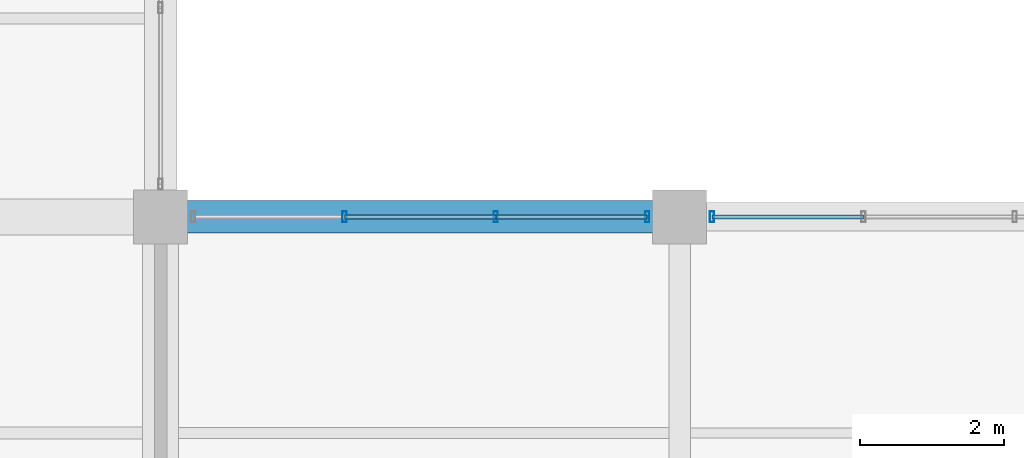
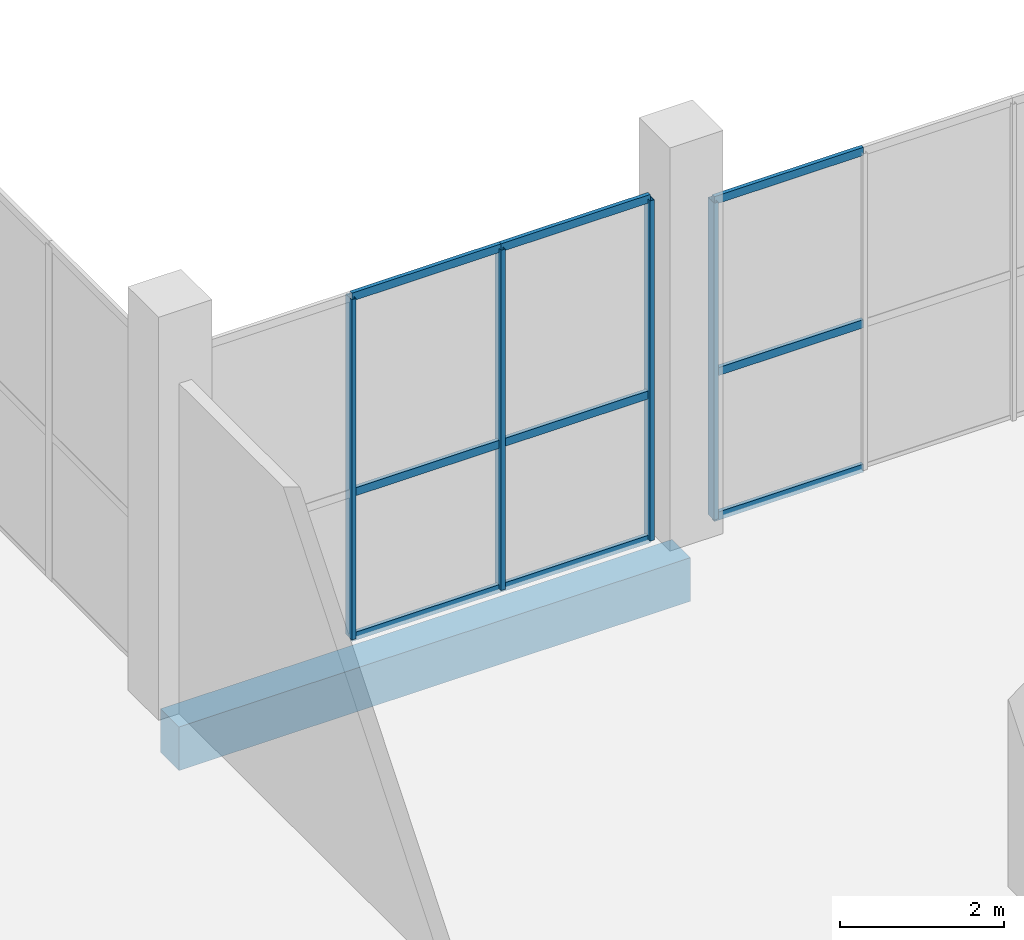
# One storey, part 101 of 144: 13 members, 1 beam, 2 elements without a shape of their own.
"""IFC4 building model written with IfcOpenShell, lengths in metres."""

from ifc_helpers import new_model, si_unit, direction, frame, origin, origin_2d, place, context, subcontext, project, spatial, rectangle, hollow_rectangle, extrude, material, layer, layer_set, material_profile, profile_set, type_object, element, aggregate, save


model = new_model("IFC4")

# Units and contexts
model_context = context("Model", 3, precision=1e-05, world=origin(), true_north=direction((0.0, 1.0)))
body_context = subcontext(model_context, "Body", "Model", "MODEL_VIEW")
ifc_project = project(units=[si_unit("LENGTHUNIT", "METRE"), si_unit("AREAUNIT", "SQUARE_METRE"), si_unit("VOLUMEUNIT", "CUBIC_METRE"), si_unit("PLANEANGLEUNIT", "RADIAN"), si_unit("MASSUNIT", "GRAM", prefix="KILO")], contexts=[model_context])

# Site, building, storey
site_placement = place(None, origin())
site = spatial("IfcSite", under=ifc_project, at=site_placement, CompositionType="ELEMENT")
building_placement = place(site_placement, origin())
building = spatial("IfcBuilding", under=site, at=building_placement, Name="Sundgate Opera House", CompositionType="ELEMENT")
storey_placement = place(building_placement, origin())
storey = spatial("IfcBuildingStorey", under=building, at=storey_placement, Name="L00", CompositionType="ELEMENT", Elevation=0.0)

# Beam
ifc_material_1 = material(Name="Concrete C35/45", Category="concrete")
ifc_material_profile_1 = material_profile(ifc_material_1, rectangle(XDim=0.449951171875, YDim=0.64990234375, at=origin_2d()), Name="RC 450x650")
ifc_profile_set_1 = profile_set([ifc_material_profile_1], Name="Concrete C35/45")
beam_type = type_object("IfcBeamType", Name="BM-RC-450x650", PredefinedType="BEAM", material=ifc_profile_set_1)
beam_placement = place(storey_placement, frame((124.199951171875, 87.0, -0.64501953125), z_axis=(1.0, 0.0, 0.0), x_axis=(0.0, 1.0, 0.0)))
element("IfcBeam", 1, at=beam_placement, inside=storey, type_object=beam_type, Name="L00 Primary E-W Girder B0517", PredefinedType="BEAM", context=body_context, shape_type="SweptSolid", body=[
    extrude(rectangle(XDim=0.449951171875, YDim=0.64990234375, at=origin_2d()), origin(), (0.0, 0.0, 1.0), 7.199951171875),
])

# Curtain wall, members
ifc_material_2 = material(Name="Anodized aluminium and low-iron glass", Category="aluminium")
ifc_layer = layer(ifc_material_2, 0.159912109375)
ifc_layer_set = layer_set([ifc_layer], Name="Anodized aluminium and low-iron glass")
curtain_wall_type = type_object("IfcCurtainWallType", Name="CW-STUDIO-DARK", PredefinedType="NOTDEFINED", material=ifc_layer_set)
curtain_wall_1_placement = place(storey_placement, origin())
curtain_wall_1 = element("IfcCurtainWall", 2, at=curtain_wall_1_placement, inside=storey, type_object=curtain_wall_type, Name="L00 Curtain Wall CW080", PredefinedType="NOTDEFINED")
ifc_material_3 = material(Name="Anodized aluminium EN AW-6063", Category="aluminium")
ifc_material_profile_2 = material_profile(ifc_material_3, hollow_rectangle(XDim=0.06005859375, YDim=0.14990234375, WallThickness=0.00390625, at=origin_2d()), Name="CWM 150x60x4")
ifc_profile_set_2 = profile_set([ifc_material_profile_2], Name="Anodized aluminium EN AW-6063")
member_type_1 = type_object("IfcMemberType", Name="CWM-ALU-150x60", PredefinedType="MULLION", material=ifc_profile_set_2)
member_1_placement = place(storey_placement, frame((126.75, 87.0, 0.0), z_axis=(0.0, 0.0, 1.0), x_axis=(1.0, 0.0, 0.0)))
member_1 = element("IfcMember", 3, at=member_1_placement, type_object=member_type_1, Name="CW080 Mullion 2", PredefinedType="MULLION", context=body_context, shape_type="SweptSolid", body=[
    extrude(hollow_rectangle(XDim=0.06005859375, YDim=0.14990234375, WallThickness=0.00390625, at=origin_2d()), origin(), (0.0, 0.0, 1.0), 5.06494140625),
])
member_2_placement = place(storey_placement, frame((128.85009765625, 87.0, 0.0), z_axis=(0.0, 0.0, 1.0), x_axis=(1.0, 0.0, 0.0)))
member_2 = element("IfcMember", 4, at=member_2_placement, type_object=member_type_1, Name="CW080 Mullion 3", PredefinedType="MULLION", context=body_context, shape_type="SweptSolid", body=[
    extrude(hollow_rectangle(XDim=0.06005859375, YDim=0.14990234375, WallThickness=0.00390625, at=origin_2d()), origin(), (0.0, 0.0, 1.0), 5.06494140625),
])
member_3_placement = place(storey_placement, frame((130.949951171875, 87.0, 0.0), z_axis=(0.0, 0.0, 1.0), x_axis=(1.0, 0.0, 0.0)))
member_3 = element("IfcMember", 5, at=member_3_placement, type_object=member_type_1, Name="CW080 Mullion 4", PredefinedType="MULLION", context=body_context, shape_type="SweptSolid", body=[
    extrude(hollow_rectangle(XDim=0.06005859375, YDim=0.14990234375, WallThickness=0.00390625, at=origin_2d()), origin(), (0.0, 0.0, 1.0), 5.06494140625),
])

# Curtain wall, member
curtain_wall_2_placement = place(storey_placement, origin())
curtain_wall_2 = element("IfcCurtainWall", 6, at=curtain_wall_2_placement, inside=storey, type_object=curtain_wall_type, Name="L00 Curtain Wall CW082", PredefinedType="NOTDEFINED")
member_4_placement = place(storey_placement, frame((131.85009765625, 87.0, 0.0), z_axis=(0.0, 0.0, 1.0), x_axis=(1.0, 0.0, 0.0)))
member_4 = element("IfcMember", 7, at=member_4_placement, type_object=member_type_1, Name="CW082 Mullion 1", PredefinedType="MULLION", context=body_context, shape_type="SweptSolid", body=[
    extrude(hollow_rectangle(XDim=0.06005859375, YDim=0.14990234375, WallThickness=0.00390625, at=origin_2d()), origin(), (0.0, 0.0, 1.0), 4.715087890625),
])

# Member
ifc_material_4 = material(Name="Anodized aluminium EN AW-6063", Category="aluminium")
ifc_material_profile_3 = material_profile(ifc_material_4, hollow_rectangle(XDim=0.054931640625, YDim=0.1201171875, WallThickness=0.00390625, at=origin_2d()), Name="CWT 120x55x4")
ifc_profile_set_3 = profile_set([ifc_material_profile_3], Name="Anodized aluminium EN AW-6063")
member_type_2 = type_object("IfcMemberType", Name="CWT-ALU-120x55", PredefinedType="USERDEFINED", material=ifc_profile_set_3)
member_5_placement = place(storey_placement, frame((126.75, 87.0, 0.0), z_axis=(1.0, 0.0, 0.0), x_axis=(0.0, 1.0, 0.0)))
member_5 = element("IfcMember", 8, at=member_5_placement, type_object=member_type_2, Name="CW080 Transom 4", ObjectType="TRANSOM", PredefinedType="USERDEFINED", context=body_context, shape_type="SweptSolid", body=[
    extrude(hollow_rectangle(XDim=0.054931640625, YDim=0.1201171875, WallThickness=0.00390625, at=origin_2d()), origin(), (0.0, 0.0, 1.0), 2.10009765625),
])

member_6_placement = place(storey_placement, frame((126.75, 87.0, 2.14990234375), z_axis=(1.0, 0.0, 0.0), x_axis=(0.0, 1.0, 0.0)))
member_6 = element("IfcMember", 9, at=member_6_placement, type_object=member_type_2, Name="CW080 Transom 5", ObjectType="TRANSOM", PredefinedType="USERDEFINED", context=body_context, shape_type="SweptSolid", body=[
    extrude(hollow_rectangle(XDim=0.054931640625, YDim=0.1201171875, WallThickness=0.00390625, at=origin_2d()), origin(), (0.0, 0.0, 1.0), 2.10009765625),
])

member_7_placement = place(storey_placement, frame((126.75, 87.0, 5.06494140625), z_axis=(1.0, 0.0, 0.0), x_axis=(0.0, 1.0, 0.0)))
member_7 = element("IfcMember", 10, at=member_7_placement, type_object=member_type_2, Name="CW080 Transom 6", ObjectType="TRANSOM", PredefinedType="USERDEFINED", context=body_context, shape_type="SweptSolid", body=[
    extrude(hollow_rectangle(XDim=0.054931640625, YDim=0.1201171875, WallThickness=0.00390625, at=origin_2d()), origin(), (0.0, 0.0, 1.0), 2.10009765625),
])

member_8_placement = place(storey_placement, frame((128.85009765625, 87.0, 0.0), z_axis=(1.0, 0.0, 0.0), x_axis=(0.0, 1.0, 0.0)))
member_8 = element("IfcMember", 11, at=member_8_placement, type_object=member_type_2, Name="CW080 Transom 7", ObjectType="TRANSOM", PredefinedType="USERDEFINED", context=body_context, shape_type="SweptSolid", body=[
    extrude(hollow_rectangle(XDim=0.054931640625, YDim=0.1201171875, WallThickness=0.00390625, at=origin_2d()), origin(), (0.0, 0.0, 1.0), 2.099853515625),
])

member_9_placement = place(storey_placement, frame((128.85009765625, 87.0, 2.14990234375), z_axis=(1.0, 0.0, 0.0), x_axis=(0.0, 1.0, 0.0)))
member_9 = element("IfcMember", 12, at=member_9_placement, type_object=member_type_2, Name="CW080 Transom 8", ObjectType="TRANSOM", PredefinedType="USERDEFINED", context=body_context, shape_type="SweptSolid", body=[
    extrude(hollow_rectangle(XDim=0.054931640625, YDim=0.1201171875, WallThickness=0.00390625, at=origin_2d()), origin(), (0.0, 0.0, 1.0), 2.099853515625),
])

member_10_placement = place(storey_placement, frame((128.85009765625, 87.0, 5.06494140625), z_axis=(1.0, 0.0, 0.0), x_axis=(0.0, 1.0, 0.0)))
member_10 = element("IfcMember", 13, at=member_10_placement, type_object=member_type_2, Name="CW080 Transom 9", ObjectType="TRANSOM", PredefinedType="USERDEFINED", context=body_context, shape_type="SweptSolid", body=[
    extrude(hollow_rectangle(XDim=0.054931640625, YDim=0.1201171875, WallThickness=0.00390625, at=origin_2d()), origin(), (0.0, 0.0, 1.0), 2.099853515625),
])

aggregate(curtain_wall_1, [member_1, member_2, member_3, member_5, member_6, member_7, member_8, member_9, member_10])

member_11_placement = place(storey_placement, frame((131.85009765625, 87.0, 0.0), z_axis=(1.0, 0.0, 0.0), x_axis=(0.0, 1.0, 0.0)))
member_11 = element("IfcMember", 14, at=member_11_placement, type_object=member_type_2, Name="CW082 Transom 1", ObjectType="TRANSOM", PredefinedType="USERDEFINED", context=body_context, shape_type="SweptSolid", body=[
    extrude(hollow_rectangle(XDim=0.054931640625, YDim=0.1201171875, WallThickness=0.00390625, at=origin_2d()), origin(), (0.0, 0.0, 1.0), 2.099853515625),
])

member_12_placement = place(storey_placement, frame((131.85009765625, 87.0, 2.14990234375), z_axis=(1.0, 0.0, 0.0), x_axis=(0.0, 1.0, 0.0)))
member_12 = element("IfcMember", 15, at=member_12_placement, type_object=member_type_2, Name="CW082 Transom 2", ObjectType="TRANSOM", PredefinedType="USERDEFINED", context=body_context, shape_type="SweptSolid", body=[
    extrude(hollow_rectangle(XDim=0.054931640625, YDim=0.1201171875, WallThickness=0.00390625, at=origin_2d()), origin(), (0.0, 0.0, 1.0), 2.099853515625),
])

member_13_placement = place(storey_placement, frame((131.85009765625, 87.0, 4.715087890625), z_axis=(1.0, 0.0, 0.0), x_axis=(0.0, 1.0, 0.0)))
member_13 = element("IfcMember", 16, at=member_13_placement, type_object=member_type_2, Name="CW082 Transom 3", ObjectType="TRANSOM", PredefinedType="USERDEFINED", context=body_context, shape_type="SweptSolid", body=[
    extrude(hollow_rectangle(XDim=0.054931640625, YDim=0.1201171875, WallThickness=0.00390625, at=origin_2d()), origin(), (0.0, 0.0, 1.0), 2.099853515625),
])

aggregate(curtain_wall_2, [member_4, member_11, member_12, member_13])

save(model, "model.ifc")
